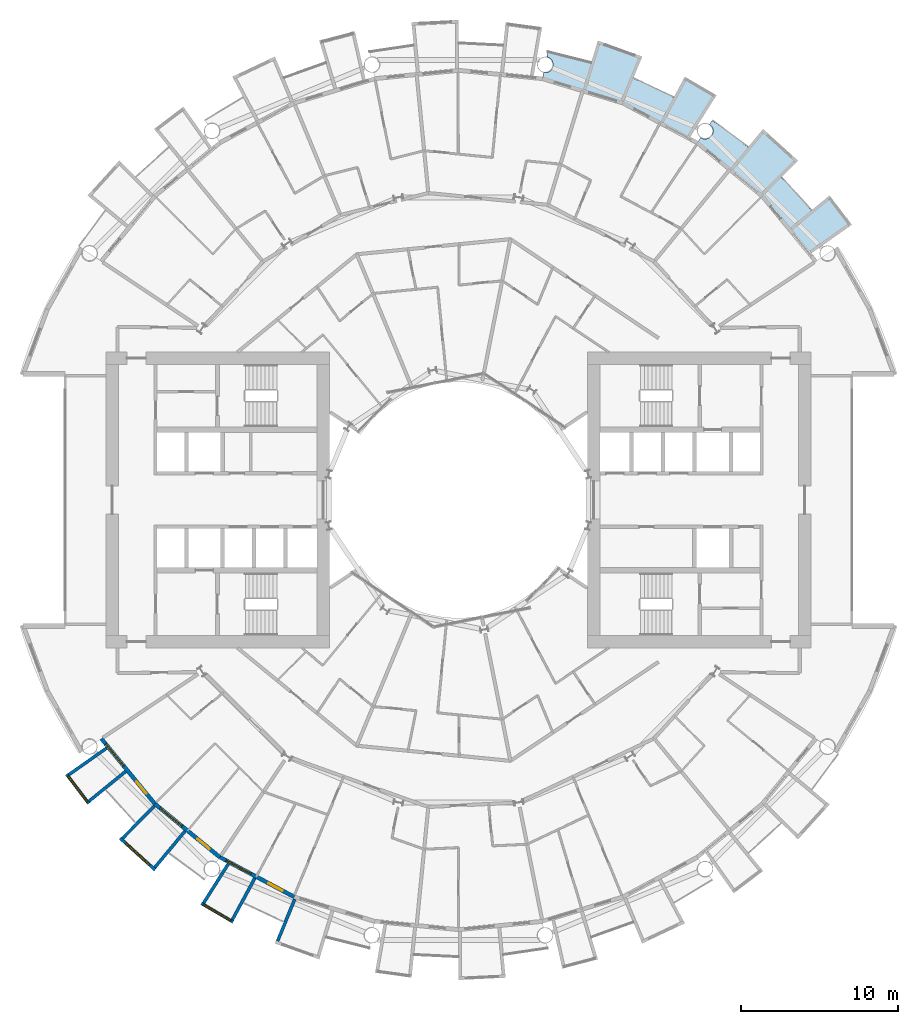
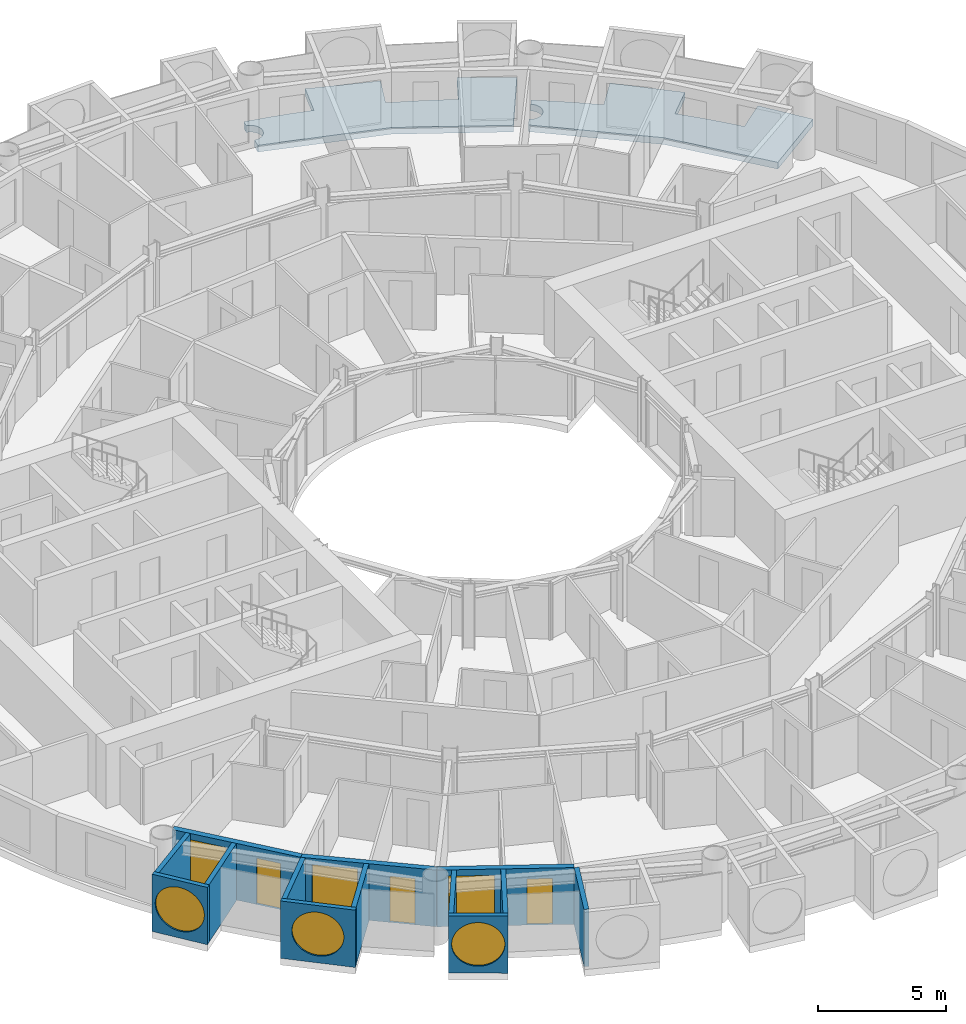
# One storey, part 12 of 26: 13 walls, 6 windows, 3 doors, 2 slabs, 9 openings.
"""IFC4 building model written with IfcOpenShell, lengths in metres."""

import ifcopenshell
import ifcopenshell.guid

model = None  # the IFC model being written
_history = None  # IfcOwnerHistory: only IFC2X3 demands one
_inside = {}  # id of a spatial element -> (the spatial element, [elements in it])
_under = {}  # id of a project, library or spatial element -> (it, [spatial elements below it])
_declared = {}  # id of a project -> (the project, [libraries it declares])
_typed = {}  # id of a type object -> (the type object, [elements of that type])
_made_of = {}  # id of a material, layer set ... -> (it, [elements and type objects made of it])


def new_model(schema):
    """Start an empty IFC model of exactly this schema.

    Asked for "IFC4X3", IfcOpenShell would pick the latest addendum, in which some entities
    have other attributes; the version numbers below select the first issue.
    IFC2X3 requires an IfcOwnerHistory on every rooted entity: one is made here for all.
    """
    global model, _history
    if schema == "IFC4X3":
        model = ifcopenshell.file(schema_version=(4, 3, 0, 0))
    else:
        model = ifcopenshell.file(schema=schema)
    _inside.clear()
    _under.clear()
    _declared.clear()
    _typed.clear()
    _made_of.clear()
    _history = None
    if model.schema == "IFC2X3":
        org = make("IfcOrganization", Name="unknown")
        user = make(
            "IfcPersonAndOrganization",
            ThePerson=make("IfcPerson", FamilyName="unknown"),
            TheOrganization=org,
        )
        app = make(
            "IfcApplication",
            ApplicationDeveloper=org,
            Version="unknown",
            ApplicationFullName="unknown",
            ApplicationIdentifier="unknown",
        )
        _history = make(
            "IfcOwnerHistory",
            OwningUser=user,
            OwningApplication=app,
            ChangeAction="ADDED",
            CreationDate=0,
        )
    return model


def make(cls, **values):
    """One entity of the class cls with the attributes given. An attribute that is None is left unset."""
    return model.create_entity(
        cls, **{name: value for name, value in values.items() if value is not None}
    )


def rooted(cls, **values):
    """An entity with a GlobalId (a new one), such as an element, a storey or a relation."""
    return make(cls, GlobalId=ifcopenshell.guid.new(), OwnerHistory=_history, **values)


def si_unit(unit_type, name, prefix=None):
    """IfcSIUnit, for example si_unit("LENGTHUNIT", "METRE", prefix="MILLI")."""
    return make("IfcSIUnit", UnitType=unit_type, Prefix=prefix, Name=name)


def assignment(units):
    """IfcUnitAssignment: the units of a project."""
    return None if units is None else make("IfcUnitAssignment", Units=units)


def point(xyz):
    """IfcCartesianPoint."""
    return None if xyz is None else make("IfcCartesianPoint", Coordinates=xyz)


def direction(xyz):
    """IfcDirection."""
    return None if xyz is None else make("IfcDirection", DirectionRatios=xyz)


def frame(location, z_axis=None, x_axis=None):
    """IfcAxis2Placement3D, a coordinate frame: its origin and axes. An axis left out is left unset."""
    return make(
        "IfcAxis2Placement3D",
        Location=point(location),
        Axis=direction(z_axis),
        RefDirection=direction(x_axis),
    )


def frame_2d(location, x_axis=None):
    """IfcAxis2Placement2D, a coordinate frame in the plane: its origin and x axis."""
    return make(
        "IfcAxis2Placement2D", Location=point(location), RefDirection=direction(x_axis)
    )


def origin():
    """The frame at (0, 0, 0) with its axes left unset."""
    return frame((0.0, 0.0, 0.0))


def place(relative_to, where):
    """IfcLocalPlacement: puts the frame where relative to a parent placement (None: the world)."""
    return make(
        "IfcLocalPlacement", PlacementRelTo=relative_to, RelativePlacement=where
    )


def context(
    kind, dimensions, precision=None, world=None, true_north=None, identifier=None
):
    """IfcGeometricRepresentationContext, for example the 3D "Model" context."""
    return make(
        "IfcGeometricRepresentationContext",
        ContextIdentifier=identifier,
        ContextType=kind,
        CoordinateSpaceDimension=dimensions,
        Precision=precision,
        WorldCoordinateSystem=world,
        TrueNorth=true_north,
    )


def subcontext(parent, identifier, kind, view, scale=None):
    """IfcGeometricRepresentationSubContext, for example "Body" below "Model"."""
    return make(
        "IfcGeometricRepresentationSubContext",
        ContextIdentifier=identifier,
        ContextType=kind,
        ParentContext=parent,
        TargetScale=scale,
        TargetView=view,
    )


def project(units=None, contexts=None):
    """IfcProject with its units and contexts."""
    return rooted(
        "IfcProject",
        Name="project",
        RepresentationContexts=contexts,
        UnitsInContext=assignment(units),
    )


def spatial(cls, under=None, at=None, **own):
    """A site, building, storey or space (cls), placed at a placement, below another one or the project."""
    s = rooted(cls, ObjectPlacement=at, **own)
    if under is not None:
        _under.setdefault(under.id(), (under, []))[1].append(s)
    return s


def polyline(points):
    """IfcPolyline through the points."""
    return make("IfcPolyline", Points=[point(p) for p in points])


def profile(cls, at=None, kind="AREA", **sizes):
    """A parametric profile (cls). Its sizes go by their IFC names, for example OverallWidth=200.0."""
    return make(cls, ProfileType=kind, Position=at, **sizes)


def rectangle(**sizes):
    """IfcRectangleProfileDef."""
    return profile("IfcRectangleProfileDef", **sizes)


def circle(**sizes):
    """IfcCircleProfileDef."""
    return profile("IfcCircleProfileDef", **sizes)


def outline(outer, holes=None, kind="AREA"):
    """IfcArbitraryClosedProfileDef: a profile drawn as a closed curve; with holes, ...WithVoids."""
    if holes is None:
        return make("IfcArbitraryClosedProfileDef", ProfileType=kind, OuterCurve=outer)
    return make(
        "IfcArbitraryProfileDefWithVoids",
        ProfileType=kind,
        OuterCurve=outer,
        InnerCurves=holes,
    )


def extrude(swept, where, along, depth):
    """IfcExtrudedAreaSolid: the profile swept, set in the frame where, extruded along a direction by depth."""
    return make(
        "IfcExtrudedAreaSolid",
        SweptArea=swept,
        Position=where,
        ExtrudedDirection=direction(along),
        Depth=depth,
    )


def shape(context_of_items, identifier, shape_type, items):
    """IfcShapeRepresentation: the items that make up one representation, for example the "Body"."""
    return make(
        "IfcShapeRepresentation",
        ContextOfItems=context_of_items,
        RepresentationIdentifier=identifier,
        RepresentationType=shape_type,
        Items=items,
    )


def material(Name=None, Category=None):
    """IfcMaterial."""
    return make("IfcMaterial", Name=Name, Category=Category)


def layer(
    of_material, thickness, ventilated=None, Name=None, Category=None, Priority=None
):
    """IfcMaterialLayer: one layer of a wall or slab, of a material (None: an air gap)."""
    return make(
        "IfcMaterialLayer",
        Material=of_material,
        LayerThickness=thickness,
        IsVentilated=ventilated,
        Name=Name,
        Category=Category,
        Priority=Priority,
    )


def layer_set(layers, Name=None):
    """IfcMaterialLayerSet."""
    return make("IfcMaterialLayerSet", MaterialLayers=layers, LayerSetName=Name)


def made_of(thing, what):
    """Note that an element or type object is made of a material, layer set ...; save() writes the relation."""
    if what is not None:
        _made_of.setdefault(what.id(), (what, []))[1].append(thing)
    return thing


def type_object(cls, material=None, **own):
    """A type object (cls), such as IfcWallType, which elements share."""
    return made_of(rooted(cls, **own), material)


def element(
    cls,
    number,
    at=None,
    inside=None,
    cuts=None,
    type_object=None,
    material=None,
    context=None,
    identifier="Body",
    shape_type=None,
    held_by="IfcProductDefinitionShape",
    body=None,
    shapes=None,
    **own,
):
    """One element of the class cls, such as IfcWall. Its Tag is "e" and its number.

    at: its placement. inside: the storey or other place that contains it. cuts: it is an
    opening in that element (IfcRelVoidsElement). A single representation is given by context,
    identifier, shape_type and body (its items); several are given by shapes. held_by: the class
    of the entity that holds the representations. save() writes the other relations.
    """
    e = rooted(cls, Tag="e%d" % number, ObjectPlacement=at, **own)
    if body is not None:
        shapes = [shape(context, identifier, shape_type, body)]
    if shapes is not None:
        e.Representation = make(held_by, Representations=shapes)
    if inside is not None:
        _inside.setdefault(inside.id(), (inside, []))[1].append(e)
    if cuts is not None:
        rooted(
            "IfcRelVoidsElement", RelatingBuildingElement=cuts, RelatedOpeningElement=e
        )
    if type_object is not None:
        _typed.setdefault(type_object.id(), (type_object, []))[1].append(e)
    return made_of(e, material)


def fill(opening, filler):
    """IfcRelFillsElement: the door or window that sits in an opening."""
    return rooted(
        "IfcRelFillsElement",
        RelatingOpeningElement=opening,
        RelatedBuildingElement=filler,
    )


def aggregate(whole, parts):
    """IfcRelAggregates: a whole, such as a stair, and the parts it consists of."""
    return rooted("IfcRelAggregates", RelatingObject=whole, RelatedObjects=parts)


def save(model, path):
    """Write the relations noted so far, then the file.

    IfcRelAggregates (storeys below a building ...), IfcRelContainedInSpatialStructure (elements
    in a storey), IfcRelDefinesByType, IfcRelAssociatesMaterial and IfcRelDeclares: one each for
    every whole, place, type object, material and project.
    """
    for whole, parts in _under.values():
        aggregate(whole, parts)
    for where, things in _inside.values():
        rooted(
            "IfcRelContainedInSpatialStructure",
            RelatedElements=things,
            RelatingStructure=where,
        )
    for kind, things in _typed.values():
        rooted("IfcRelDefinesByType", RelatedObjects=things, RelatingType=kind)
    for what, things in _made_of.values():
        rooted("IfcRelAssociatesMaterial", RelatedObjects=things, RelatingMaterial=what)
    for by, libraries in _declared.values():
        rooted("IfcRelDeclares", RelatingContext=by, RelatedDefinitions=libraries)
    model.write(path)


model = new_model("IFC4")

# Units and contexts
model_context = context("Model", 3, precision=1e-05, world=origin(), true_north=direction((0.0, 1.0)))
body_context = subcontext(model_context, "Body", "Model", "MODEL_VIEW")
ifc_project = project(units=[si_unit("LENGTHUNIT", "METRE"), si_unit("AREAUNIT", "SQUARE_METRE"), si_unit("VOLUMEUNIT", "CUBIC_METRE"), si_unit("PLANEANGLEUNIT", "RADIAN"), si_unit("MASSUNIT", "GRAM", prefix="KILO")], contexts=[model_context])

# Site, building, storey
site_placement = place(None, origin())
site = spatial("IfcSite", under=ifc_project, at=site_placement, CompositionType="ELEMENT")
building_placement = place(site_placement, origin())
building = spatial("IfcBuilding", under=site, at=building_placement, Name="Maasbend Ring Residences", CompositionType="ELEMENT")
storey_placement = place(building_placement, frame((0.0, 0.0, 22.800048828125)))
storey = spatial("IfcBuildingStorey", under=building, at=storey_placement, Name="L05", CompositionType="ELEMENT", Elevation=22.800048828125)

# Slabs
ifc_material_1 = material(Name="Concrete C40/50", Category="concrete")
ifc_layer_1 = layer(ifc_material_1, 0.199951171875)
ifc_layer_set_1 = layer_set([ifc_layer_1], Name="Concrete C40/50")
slab_type = type_object("IfcSlabType", Name="SL-LOGGIA", PredefinedType="FLOOR", material=ifc_layer_set_1)
slab_1_placement = place(storey_placement, frame((0.0, 0.0, -0.35009765625)))
element("IfcSlab", 1, at=slab_1_placement, inside=storey, type_object=slab_type, Name="Loggia floor 2", PredefinedType="FLOOR", context=body_context, shape_type="SweptSolid", body=[
    extrude(outline(polyline([(5.43896484375, 27.154052734375), (5.451904296875, 27.153076171875), (5.464111328125, 27.15087890625), (5.47705078125, 27.15087890625), (5.489013671875, 27.14990234375), (5.501953125, 27.14990234375), (5.513916015625, 27.14990234375), (5.52587890625, 27.15087890625), (5.5390625, 27.15087890625), (5.551025390625, 27.153076171875), (5.56396484375, 27.154052734375), (5.575927734375, 27.156005859375), (5.587890625, 27.157958984375), (5.60107421875, 27.159912109375), (5.613037109375, 27.162109375), (5.625, 27.1650390625), (5.636962890625, 27.1689453125), (5.64892578125, 27.172119140625), (5.660888671875, 27.176025390625), (5.673095703125, 27.179931640625), (5.68408203125, 27.18408203125), (5.696044921875, 27.18896484375), (5.70703125, 27.194091796875), (5.718994140625, 27.198974609375), (5.72998046875, 27.2041015625), (5.740966796875, 27.2099609375), (5.751953125, 27.216064453125), (5.762939453125, 27.221923828125), (5.77294921875, 27.22900390625), (5.783935546875, 27.236083984375), (5.7939453125, 27.242919921875), (5.803955078125, 27.25), (5.81396484375, 27.258056640625), (5.823974609375, 27.264892578125), (5.8330078125, 27.27294921875), (5.843017578125, 27.281982421875), (5.85205078125, 27.2900390625), (5.861083984375, 27.299072265625), (5.868896484375, 27.30810546875), (5.8779296875, 27.31689453125), (5.885986328125, 27.325927734375), (5.89404296875, 27.3359375), (5.902099609375, 27.345947265625), (5.909912109375, 27.35498046875), (5.9169921875, 27.365966796875), (5.924072265625, 27.3759765625), (5.930908203125, 27.385986328125), (5.93701171875, 27.39697265625), (5.944091796875, 27.407958984375), (5.949951171875, 27.4189453125), (5.955078125, 27.429931640625), (5.9609375, 27.44091796875), (5.966064453125, 27.451904296875), (5.970947265625, 27.464111328125), (5.97509765625, 27.47509765625), (5.97998046875, 27.487060546875), (5.98388671875, 27.4990234375), (5.988037109375, 27.510986328125), (5.990966796875, 27.52294921875), (5.993896484375, 27.534912109375), (5.9970703125, 27.547119140625), (6.0, 27.55908203125), (6.001953125, 27.571044921875), (6.00390625, 27.583984375), (6.006103515625, 27.595947265625), (6.007080078125, 27.60791015625), (6.008056640625, 27.62109375), (6.009033203125, 27.633056640625), (6.009033203125, 27.64599609375), (6.010009765625, 27.657958984375), (6.009033203125, 27.6708984375), (6.009033203125, 27.68310546875), (6.008056640625, 27.695068359375), (6.007080078125, 27.7080078125), (6.006103515625, 27.719970703125), (6.00390625, 27.73291015625), (6.001953125, 27.7451171875), (6.0, 27.757080078125), (5.9970703125, 27.76904296875), (5.993896484375, 27.781982421875), (5.990966796875, 27.7939453125), (5.988037109375, 27.805908203125), (5.98388671875, 27.81689453125), (5.97998046875, 27.8291015625), (5.97509765625, 27.841064453125), (5.970947265625, 27.85302734375), (5.966064453125, 27.864013671875), (5.9609375, 27.875), (5.955078125, 27.886962890625), (5.949951171875, 27.89794921875), (5.944091796875, 27.907958984375), (5.93701171875, 27.9189453125), (5.930908203125, 27.929931640625), (5.924072265625, 27.93994140625), (5.9169921875, 27.950927734375), (5.909912109375, 27.9609375), (5.902099609375, 27.970947265625), (5.89404296875, 27.97998046875), (5.885986328125, 27.989990234375), (5.8779296875, 27.9990234375), (5.868896484375, 28.008056640625), (5.861083984375, 28.01708984375), (5.85205078125, 28.02587890625), (5.843017578125, 28.034912109375), (5.8330078125, 28.04296875), (5.823974609375, 28.051025390625), (5.81396484375, 28.05908203125), (5.803955078125, 28.06591796875), (5.7939453125, 28.072998046875), (5.783935546875, 28.080078125), (5.77294921875, 28.0869140625), (5.762939453125, 28.093994140625), (5.751953125, 28.10009765625), (5.740966796875, 28.10595703125), (5.72998046875, 28.112060546875), (5.718994140625, 28.116943359375), (5.70703125, 28.123046875), (5.696044921875, 28.126953125), (5.68408203125, 28.132080078125), (5.673095703125, 28.135986328125), (5.660888671875, 28.139892578125), (5.64892578125, 28.14404296875), (5.636962890625, 28.14794921875), (5.625, 28.15087890625), (5.613037109375, 28.154052734375), (5.60107421875, 28.156005859375), (5.657958984375, 28.443115234375), (5.657958984375, 28.443115234375), (5.657958984375, 28.443115234375), (6.5849609375, 28.241943359375), (6.5849609375, 28.241943359375), (7.506103515625, 28.011962890625), (7.506103515625, 28.011962890625), (8.41796875, 27.7509765625), (8.41796875, 27.7509765625), (8.41796875, 27.7509765625), (8.41796875, 27.7509765625), (8.41796875, 27.7509765625), (8.41796875, 27.7509765625), (8.41796875, 27.7509765625), (8.41796875, 27.7509765625), (8.41796875, 27.7509765625), (8.41796875, 27.7509765625), (8.41796875, 27.751953125), (8.41796875, 27.751953125), (8.41796875, 27.751953125), (8.41796875, 27.751953125), (8.41796875, 27.751953125), (8.41796875, 27.751953125), (8.41796875, 27.751953125), (8.85400390625, 29.18701171875), (8.85400390625, 29.18701171875), (8.85400390625, 29.18701171875), (11.672119140625, 28.177978515625), (11.672119140625, 28.177978515625), (11.672119140625, 28.177978515625), (11.097900390625, 26.79296875), (11.097900390625, 26.79296875), (11.097900390625, 26.79296875), (11.097900390625, 26.79296875), (11.097900390625, 26.79296875), (11.097900390625, 26.79296875), (11.097900390625, 26.79296875), (11.097900390625, 26.79296875), (11.097900390625, 26.79296875), (11.097900390625, 26.79296875), (11.097900390625, 26.7919921875), (11.097900390625, 26.7919921875), (11.097900390625, 26.7919921875), (11.097900390625, 26.7919921875), (11.097900390625, 26.7919921875), (11.097900390625, 26.7919921875), (11.097900390625, 26.7919921875), (11.968994140625, 26.4150390625), (11.968994140625, 26.4150390625), (12.825927734375, 26.009033203125), (12.825927734375, 26.009033203125), (13.669921875, 25.575927734375), (13.669921875, 25.575927734375), (13.669921875, 25.575927734375), (13.669921875, 25.575927734375), (13.669921875, 25.575927734375), (13.669921875, 25.575927734375), (13.669921875, 25.575927734375), (13.669921875, 25.575927734375), (13.669921875, 25.575927734375), (13.669921875, 25.575927734375), (13.6708984375, 25.575927734375), (13.6708984375, 25.575927734375), (13.6708984375, 25.575927734375), (13.6708984375, 25.575927734375), (13.6708984375, 25.575927734375), (13.6708984375, 25.575927734375), (13.6708984375, 25.575927734375), (14.3779296875, 26.89892578125), (14.3779296875, 26.89892578125), (14.3779296875, 26.89892578125), (16.39404296875, 25.718994140625), (16.39404296875, 25.718994140625), (16.39404296875, 25.718994140625), (14.64599609375, 22.97705078125), (14.64599609375, 22.97705078125), (14.64599609375, 22.97705078125), (12.806884765625, 23.9609375), (10.447021484375, 25.221923828125), (10.447021484375, 25.221923828125), (10.447021484375, 25.221923828125), (7.886962890625, 25.9990234375), (5.325927734375, 26.77490234375), (5.325927734375, 26.77490234375), (5.325927734375, 26.77490234375), (5.402099609375, 27.159912109375), (5.4150390625, 27.157958984375), (5.427001953125, 27.156005859375), (5.43896484375, 27.154052734375)])), origin(), (0.0, 0.0, 1.0), 0.320068359375),
])
slab_2_placement = place(storey_placement, frame((0.0, 0.0, -0.35009765625)))
element("IfcSlab", 2, at=slab_2_placement, inside=storey, type_object=slab_type, Name="Loggia floor 4", PredefinedType="FLOOR", context=body_context, shape_type="SweptSolid", body=[
    extrude(outline(polyline([(15.406005859375, 23.011962890625), (15.4169921875, 23.0048828125), (15.427978515625, 22.9990234375), (15.43896484375, 22.993896484375), (15.449951171875, 22.988037109375), (15.4609375, 22.98291015625), (15.472900390625, 22.97802734375), (15.48388671875, 22.972900390625), (15.49609375, 22.968994140625), (15.508056640625, 22.965087890625), (15.52001953125, 22.9609375), (15.531982421875, 22.9580078125), (15.5439453125, 22.955078125), (15.555908203125, 22.951904296875), (15.568115234375, 22.948974609375), (15.580078125, 22.947021484375), (15.593017578125, 22.945068359375), (15.60498046875, 22.943115234375), (15.616943359375, 22.94189453125), (15.6298828125, 22.94091796875), (15.64208984375, 22.93994140625), (15.655029296875, 22.93994140625), (15.6669921875, 22.93896484375), (15.679931640625, 22.93994140625), (15.69189453125, 22.93994140625), (15.7041015625, 22.94091796875), (15.717041015625, 22.94189453125), (15.72900390625, 22.943115234375), (15.741943359375, 22.945068359375), (15.75390625, 22.947021484375), (15.76611328125, 22.948974609375), (15.778076171875, 22.951904296875), (15.791015625, 22.955078125), (15.802978515625, 22.9580078125), (15.81494140625, 22.9609375), (15.825927734375, 22.965087890625), (15.837890625, 22.968994140625), (15.85009765625, 22.972900390625), (15.862060546875, 22.97802734375), (15.873046875, 22.98291015625), (15.884033203125, 22.988037109375), (15.89599609375, 22.993896484375), (15.906982421875, 22.9990234375), (15.9169921875, 23.0048828125), (15.927978515625, 23.011962890625), (15.93896484375, 23.01806640625), (15.948974609375, 23.02490234375), (15.9599609375, 23.031982421875), (15.969970703125, 23.0390625), (15.97998046875, 23.047119140625), (15.989013671875, 23.054931640625), (15.9990234375, 23.06298828125), (16.008056640625, 23.071044921875), (16.01708984375, 23.0791015625), (16.02587890625, 23.087890625), (16.034912109375, 23.096923828125), (16.0439453125, 23.10595703125), (16.052001953125, 23.115966796875), (16.06005859375, 23.125), (16.068115234375, 23.135009765625), (16.074951171875, 23.14501953125), (16.08203125, 23.155029296875), (16.089111328125, 23.1650390625), (16.095947265625, 23.176025390625), (16.10302734375, 23.18603515625), (16.10888671875, 23.197021484375), (16.114990234375, 23.2080078125), (16.12109375, 23.218994140625), (16.1259765625, 23.22998046875), (16.132080078125, 23.241943359375), (16.135986328125, 23.2529296875), (16.14111328125, 23.264892578125), (16.14501953125, 23.27587890625), (16.14892578125, 23.2880859375), (16.153076171875, 23.300048828125), (16.156982421875, 23.31201171875), (16.159912109375, 23.323974609375), (16.1630859375, 23.3359375), (16.1650390625, 23.347900390625), (16.16796875, 23.361083984375), (16.169921875, 23.373046875), (16.1708984375, 23.385009765625), (16.173095703125, 23.39794921875), (16.174072265625, 23.409912109375), (16.174072265625, 23.422119140625), (16.175048828125, 23.43505859375), (16.175048828125, 23.447021484375), (16.175048828125, 23.4599609375), (16.174072265625, 23.471923828125), (16.174072265625, 23.485107421875), (16.173095703125, 23.4970703125), (16.1708984375, 23.510009765625), (16.169921875, 23.52197265625), (16.16796875, 23.533935546875), (16.1650390625, 23.547119140625), (16.1630859375, 23.55908203125), (16.159912109375, 23.571044921875), (16.156982421875, 23.5830078125), (16.153076171875, 23.594970703125), (16.14892578125, 23.60693359375), (16.14501953125, 23.618896484375), (16.14111328125, 23.6298828125), (16.135986328125, 23.64208984375), (16.132080078125, 23.653076171875), (16.1259765625, 23.6650390625), (16.12109375, 23.676025390625), (16.114990234375, 23.68701171875), (16.10888671875, 23.697998046875), (16.10302734375, 23.708984375), (16.095947265625, 23.718994140625), (16.089111328125, 23.72998046875), (16.08203125, 23.739990234375), (16.074951171875, 23.75), (16.068115234375, 23.760009765625), (16.06005859375, 23.77001953125), (16.052001953125, 23.779052734375), (16.0439453125, 23.7890625), (16.034912109375, 23.798095703125), (16.02587890625, 23.806884765625), (16.01708984375, 23.81494140625), (16.008056640625, 23.823974609375), (15.9990234375, 23.83203125), (15.989013671875, 23.840087890625), (15.97998046875, 23.847900390625), (15.969970703125, 23.85498046875), (15.9599609375, 23.863037109375), (15.948974609375, 23.8701171875), (15.948974609375, 23.8701171875), (16.112060546875, 24.113037109375), (16.112060546875, 24.113037109375), (16.112060546875, 24.113037109375), (16.89208984375, 23.572998046875), (16.89208984375, 23.572998046875), (17.654052734375, 23.007080078125), (17.654052734375, 23.007080078125), (18.39697265625, 22.41796875), (18.39697265625, 22.41796875), (18.39697265625, 22.41796875), (18.39697265625, 22.41796875), (18.39697265625, 22.41796875), (18.39697265625, 22.41796875), (18.39697265625, 22.41796875), (18.39697265625, 22.41796875), (18.39697265625, 22.41796875), (18.39697265625, 22.41796875), (18.39697265625, 22.41796875), (18.39794921875, 22.41796875), (18.39794921875, 22.41796875), (18.39794921875, 22.41796875), (18.39794921875, 22.41796875), (18.39794921875, 22.41796875), (18.39794921875, 22.41796875), (19.34912109375, 23.576904296875), (19.34912109375, 23.576904296875), (19.34912109375, 23.576904296875), (21.56689453125, 21.56689453125), (21.56689453125, 21.56689453125), (21.56689453125, 21.56689453125), (20.506103515625, 20.506103515625), (20.506103515625, 20.506103515625), (20.506103515625, 20.506103515625), (20.506103515625, 20.506103515625), (20.506103515625, 20.506103515625), (20.506103515625, 20.506103515625), (20.506103515625, 20.506103515625), (20.506103515625, 20.506103515625), (20.506103515625, 20.506103515625), (20.506103515625, 20.506103515625), (20.506103515625, 20.506103515625), (20.506103515625, 20.506103515625), (20.506103515625, 20.506103515625), (20.506103515625, 20.506103515625), (20.506103515625, 20.506103515625), (20.506103515625, 20.506103515625), (20.506103515625, 20.506103515625), (21.166015625, 19.823974609375), (21.166015625, 19.823974609375), (21.802978515625, 19.12109375), (21.802978515625, 19.12109375), (22.4169921875, 18.39794921875), (22.4169921875, 18.39794921875), (22.4169921875, 18.39794921875), (22.4169921875, 18.39794921875), (22.4169921875, 18.39794921875), (22.4169921875, 18.39794921875), (22.4169921875, 18.39794921875), (22.4169921875, 18.39794921875), (22.4169921875, 18.39794921875), (22.4169921875, 18.39794921875), (22.4169921875, 18.39794921875), (22.4169921875, 18.39794921875), (22.41796875, 18.39794921875), (22.41796875, 18.39794921875), (22.41796875, 18.39794921875), (22.41796875, 18.39794921875), (22.41796875, 18.39794921875), (23.576904296875, 19.34912109375), (23.576904296875, 19.34912109375), (23.576904296875, 19.34912109375), (24.989013671875, 17.488037109375), (24.989013671875, 17.488037109375), (24.989013671875, 17.488037109375), (22.324951171875, 15.623046875), (22.324951171875, 15.623046875), (22.324951171875, 15.623046875), (21.001953125, 17.236083984375), (19.303955078125, 19.303955078125), (19.303955078125, 19.303955078125), (19.303955078125, 19.303955078125), (17.236083984375, 21.001953125), (15.1669921875, 22.698974609375), (15.1669921875, 22.698974609375), (15.1669921875, 22.698974609375), (15.385009765625, 23.02490234375), (15.385009765625, 23.02490234375), (15.39501953125, 23.01806640625), (15.406005859375, 23.011962890625)])), origin(), (0.0, 0.0, 1.0), 0.320068359375),
])

# Wall, opening, window
ifc_material_2 = material(Name="Pale anodised aluminium panel", Category="aluminium")
ifc_layer_2 = layer(ifc_material_2, 0.199951171875)
ifc_layer_set_2 = layer_set([ifc_layer_2], Name="EW-BOX")
wall_type_1 = type_object("IfcWallType", Name="EW-BOX", PredefinedType="SOLIDWALL", material=ifc_layer_set_2)
wall_1_placement = place(storey_placement, frame((-24.908935546875, -17.427001953125, -0.030029296875), z_axis=(0.0, 0.0, 1.0), x_axis=(0.60418752353, -0.796842165306, 0.0)))
wall_1 = element("IfcWall", 3, at=wall_1_placement, inside=storey, type_object=wall_type_1, Name="Box front S01", PredefinedType="SOLIDWALL", context=body_context, shape_type="SweptSolid", body=[
    extrude(rectangle(XDim=2.3369140625, YDim=0.199951171875, at=frame_2d((1.16845703125, 0.0))), origin(), (0.0, 0.0, 1.0), 2.72998046875),
])
opening_1_placement = place(wall_1_placement, frame((0.128173828125, 0.0, 0.330078125)))
opening_1 = element("IfcOpeningElement", 4, at=opening_1_placement, cuts=wall_1, Name="Opening W-RD", PredefinedType="OPENING", context=body_context, shape_type="SweptSolid", body=[
    extrude(circle(Radius=1.0400390625, at=frame_2d((1.0400390625, 1.0400390625))), frame((0.0, 0.10986328125, 0.0), z_axis=(0.0, -1.0, 0.0), x_axis=(1.0, 0.0, 0.0)), (0.0, 0.0, 1.0), 0.219970703125),
])
ifc_material_3 = material(Name="Aluminium and clear glass", Category="aluminium")
window_type_1 = type_object("IfcWindowType", Name="W-RD", PartitioningType="SINGLE_PANEL", PredefinedType="WINDOW", material=ifc_material_3)
window_1_placement = place(opening_1_placement, origin())
window_1 = element("IfcWindow", 5, at=window_1_placement, inside=storey, type_object=window_type_1, Name="Round window S01", OverallHeight=2.080078125, OverallWidth=2.080078125, PartitioningType="SINGLE_PANEL", PredefinedType="WINDOW", context=body_context, shape_type="SweptSolid", body=[
    extrude(circle(Radius=1.0400390625, at=frame_2d((1.0400390625, 1.0400390625))), frame((0.0, 0.030029296875, 0.0), z_axis=(0.0, -1.0, 0.0), x_axis=(1.0, 0.0, 0.0)), (0.0, 0.0, 1.0), 0.06005859375),
])
fill(opening_1, window_1)

# Walls
wall_2_placement = place(storey_placement, frame((-22.3701171875, -15.764892578125, -0.030029296875), z_axis=(0.0, 0.0, 1.0), x_axis=(-0.817256123454, -0.576274612209, 0.0)))
element("IfcWall", 6, at=wall_2_placement, inside=storey, type_object=wall_type_1, Name="Box side wall S01 left", PredefinedType="SOLIDWALL", context=body_context, shape_type="SweptSolid", body=[
    extrude(rectangle(XDim=2.932861328125, YDim=0.199951171875, at=frame_2d((1.46630859375, 0.0))), origin(), (0.0, 0.0, 1.0), 2.72998046875),
])
wall_3_placement = place(storey_placement, frame((-21.155029296875, -17.24609375, -0.030029296875), z_axis=(0.0, 0.0, 1.0), x_axis=(-0.775179004516, -0.631741648902, 0.0)))
element("IfcWall", 7, at=wall_3_placement, inside=storey, type_object=wall_type_1, Name="Box side wall S01 right", PredefinedType="SOLIDWALL", context=body_context, shape_type="SweptSolid", body=[
    extrude(rectangle(XDim=3.005859375, YDim=0.199951171875, at=frame_2d((1.5029296875, 0.0))), origin(), (0.0, 0.0, 1.0), 2.72998046875),
])

# Wall, opening, window
wall_4_placement = place(storey_placement, frame((-21.5, -21.492919921875, -0.030029296875), z_axis=(0.0, 0.0, 1.0), x_axis=(0.740998365753, -0.671506829416, 0.0)))
wall_4 = element("IfcWall", 8, at=wall_4_placement, inside=storey, type_object=wall_type_1, Name="Box front S03", PredefinedType="SOLIDWALL", context=body_context, shape_type="SweptSolid", body=[
    extrude(rectangle(XDim=2.9931640625, YDim=0.199951171875, at=frame_2d((1.49658203125, 0.0))), origin(), (0.0, 0.0, 1.0), 2.72998046875),
])
opening_2_placement = place(wall_4_placement, frame((0.45654296875, 0.0, 0.330078125)))
opening_2 = element("IfcOpeningElement", 9, at=opening_2_placement, cuts=wall_4, Name="Opening W-RD", PredefinedType="OPENING", context=body_context, shape_type="SweptSolid", body=[
    extrude(circle(Radius=1.0400390625, at=frame_2d((1.0400390625, 1.0400390625))), frame((0.0, 0.10986328125, 0.0), z_axis=(0.0, -1.0, 0.0), x_axis=(1.0, 0.0, 0.0)), (0.0, 0.0, 1.0), 0.219970703125),
])
window_2_placement = place(opening_2_placement, origin())
window_2 = element("IfcWindow", 10, at=window_2_placement, inside=storey, type_object=window_type_1, Name="Round window S03", OverallHeight=2.080078125, OverallWidth=2.080078125, PartitioningType="SINGLE_PANEL", PredefinedType="WINDOW", context=body_context, shape_type="SweptSolid", body=[
    extrude(circle(Radius=1.0400390625, at=frame_2d((1.0400390625, 1.0400390625))), frame((0.0, 0.030029296875, 0.0), z_axis=(0.0, -1.0, 0.0), x_axis=(1.0, 0.0, 0.0)), (0.0, 0.0, 1.0), 0.06005859375),
])
fill(opening_2, window_2)

# Walls
wall_5_placement = place(storey_placement, frame((-19.322998046875, -19.449951171875, -0.030029296875), z_axis=(0.0, 0.0, 1.0), x_axis=(-0.704476739375, -0.709727076896, 0.0)))
element("IfcWall", 11, at=wall_5_placement, inside=storey, type_object=wall_type_1, Name="Box side wall S03 left", PredefinedType="SOLIDWALL", context=body_context, shape_type="SweptSolid", body=[
    extrude(rectangle(XDim=2.883056640625, YDim=0.199951171875, at=frame_2d((1.44140625, 0.0))), origin(), (0.0, 0.0, 1.0), 2.72998046875),
])
wall_6_placement = place(storey_placement, frame((-17.384033203125, -21.041015625, -0.030029296875), z_axis=(0.0, 0.0, 1.0), x_axis=(-0.63709551667, -0.770784861449, 0.0)))
element("IfcWall", 12, at=wall_6_placement, inside=storey, type_object=wall_type_1, Name="Box side wall S03 right", PredefinedType="SOLIDWALL", context=body_context, shape_type="SweptSolid", body=[
    extrude(rectangle(XDim=3.005859375, YDim=0.199951171875, at=frame_2d((1.5029296875, 0.0))), origin(), (0.0, 0.0, 1.0), 2.72998046875),
])

# Wall, opening, window
wall_7_placement = place(storey_placement, frame((-16.343994140625, -25.633056640625, -0.030029296875), z_axis=(0.0, 0.0, 1.0), x_axis=(0.863346521872, -0.504611517081, 0.0)))
wall_7 = element("IfcWall", 13, at=wall_7_placement, inside=storey, type_object=wall_type_1, Name="Box front S05", PredefinedType="SOLIDWALL", context=body_context, shape_type="SweptSolid", body=[
    extrude(rectangle(XDim=2.33642578125, YDim=0.199951171875, at=frame_2d((1.168212890625, 0.0))), origin(), (0.0, 0.0, 1.0), 2.72998046875),
])
opening_3_placement = place(wall_7_placement, frame((0.128173828125, 0.0, 0.330078125)))
opening_3 = element("IfcOpeningElement", 14, at=opening_3_placement, cuts=wall_7, Name="Opening W-RD", PredefinedType="OPENING", context=body_context, shape_type="SweptSolid", body=[
    extrude(circle(Radius=1.0400390625, at=frame_2d((1.0400390625, 1.0400390625))), frame((0.0, 0.10986328125, 0.0), z_axis=(0.0, -1.0, 0.0), x_axis=(1.0, 0.0, 0.0)), (0.0, 0.0, 1.0), 0.219970703125),
])
window_3_placement = place(opening_3_placement, origin())
window_3 = element("IfcWindow", 15, at=window_3_placement, inside=storey, type_object=window_type_1, Name="Round window S05", OverallHeight=2.080078125, OverallWidth=2.080078125, PartitioningType="SINGLE_PANEL", PredefinedType="WINDOW", context=body_context, shape_type="SweptSolid", body=[
    extrude(circle(Radius=1.0400390625, at=frame_2d((1.0400390625, 1.0400390625))), frame((0.0, 0.030029296875, 0.0), z_axis=(0.0, -1.0, 0.0), x_axis=(1.0, 0.0, 0.0)), (0.0, 0.0, 1.0), 0.06005859375),
])
fill(opening_3, window_3)

# Walls
wall_8_placement = place(storey_placement, frame((-14.635009765625, -23.1259765625, -0.030029296875), z_axis=(0.0, 0.0, 1.0), x_axis=(-0.534437802731, -0.845207805816, 0.0)))
element("IfcWall", 16, at=wall_8_placement, inside=storey, type_object=wall_type_1, Name="Box side wall S05 left", PredefinedType="SOLIDWALL", context=body_context, shape_type="SweptSolid", body=[
    extrude(rectangle(XDim=2.931884765625, YDim=0.199951171875, at=frame_2d((1.4658203125, 0.0))), origin(), (0.0, 0.0, 1.0), 2.72998046875),
])
wall_9_placement = place(storey_placement, frame((-12.945068359375, -24.029052734375, -0.030029296875), z_axis=(0.0, 0.0, 1.0), x_axis=(-0.474424310775, -0.88029629861, 0.0)))
element("IfcWall", 17, at=wall_9_placement, inside=storey, type_object=wall_type_1, Name="Box side wall S05 right", PredefinedType="SOLIDWALL", context=body_context, shape_type="SweptSolid", body=[
    extrude(rectangle(XDim=3.005859375, YDim=0.199951171875, at=frame_2d((1.5029296875, 0.0))), origin(), (0.0, 0.0, 1.0), 2.72998046875),
])
wall_10_placement = place(storey_placement, frame((-10.408935546875, -25.364013671875, -0.030029296875), z_axis=(0.0, 0.0, 1.0), x_axis=(-0.379509886562, -0.925187681501, 0.0)))
element("IfcWall", 18, at=wall_10_placement, inside=storey, type_object=wall_type_1, Name="Box side wall S07 left", PredefinedType="SOLIDWALL", context=body_context, shape_type="SweptSolid", body=[
    extrude(rectangle(XDim=2.882568359375, YDim=0.199951171875, at=frame_2d((1.44140625, 0.0))), origin(), (0.0, 0.0, 1.0), 2.72998046875),
])

# Wall, openings, door, window
ifc_material_4 = material(Name="Aluminium clad insulated panel", Category="aluminium")
ifc_layer_3 = layer(ifc_material_4, 0.25)
ifc_layer_set_3 = layer_set([ifc_layer_3], Name="EW-GL")
wall_type_2 = type_object("IfcWallType", Name="EW-GL", PredefinedType="SOLIDWALL", material=ifc_layer_set_3)
wall_11_placement = place(storey_placement, frame((-22.698974609375, -15.1669921875, 0.0), z_axis=(0.0, 0.0, 1.0), x_axis=(0.634382322723, -0.773019449054, 0.0)))
wall_11 = element("IfcWall", 19, at=wall_11_placement, inside=storey, type_object=wall_type_2, Name="External wall S01", PredefinedType="SOLIDWALL", context=body_context, shape_type="SweptSolid", body=[
    extrude(rectangle(XDim=5.351806640625, YDim=0.25, at=frame_2d((2.67578125, 0.0))), origin(), (0.0, 0.0, 1.0), 2.699951171875),
])
opening_4_placement = place(wall_11_placement, frame((0.441162109375, 0.0, 0.300048828125)))
opening_4 = element("IfcOpeningElement", 20, at=opening_4_placement, cuts=wall_11, Name="Opening W-BX", PredefinedType="OPENING", context=body_context, shape_type="SweptSolid", body=[
    extrude(rectangle(XDim=1.800048828125, YDim=2.10009765625, at=frame_2d((0.89990234375, 1.050048828125))), frame((0.0, 0.135009765625, 0.0), z_axis=(0.0, -1.0, 0.0), x_axis=(1.0, 0.0, 0.0)), (0.0, 0.0, 1.0), 0.27001953125),
])
opening_5_placement = place(wall_11_placement, frame((3.510498046875, 0.0, 0.0)))
opening_5 = element("IfcOpeningElement", 21, at=opening_5_placement, cuts=wall_11, Name="Opening D-LG", PredefinedType="OPENING", context=body_context, shape_type="SweptSolid", body=[
    extrude(rectangle(XDim=1.0, YDim=2.199951171875, at=frame_2d((0.5, 1.10009765625))), frame((0.0, 0.135009765625, 0.0), z_axis=(0.0, -1.0, 0.0), x_axis=(1.0, 0.0, 0.0)), (0.0, 0.0, 1.0), 0.27001953125),
])
ifc_material_5 = material(Name="Aluminium and clear glass", Category="aluminium")
door_type = type_object("IfcDoorType", Name="D-LG", OperationType="SINGLE_SWING_LEFT", PredefinedType="DOOR", material=ifc_material_5)
door_1_placement = place(opening_5_placement, origin())
door_1 = element("IfcDoor", 22, at=door_1_placement, inside=storey, type_object=door_type, Name="Loggia door S02", OperationType="SINGLE_SWING_LEFT", OverallHeight=2.199951171875, OverallWidth=1.0, PredefinedType="DOOR", context=body_context, shape_type="SweptSolid", body=[
    extrude(rectangle(XDim=1.0, YDim=2.199951171875, at=frame_2d((0.5, 1.10009765625))), frame((0.0, 0.02490234375, 0.0), z_axis=(0.0, -1.0, 0.0), x_axis=(1.0, 0.0, 0.0)), (0.0, 0.0, 1.0), 0.050048828125),
])
fill(opening_5, door_1)
ifc_material_6 = material(Name="Aluminium and clear glass", Category="aluminium")
window_type_2 = type_object("IfcWindowType", Name="W-BX", PartitioningType="DOUBLE_PANEL_VERTICAL", PredefinedType="WINDOW", material=ifc_material_6)
window_4_placement = place(opening_4_placement, origin())
window_4 = element("IfcWindow", 23, at=window_4_placement, inside=storey, type_object=window_type_2, Name="Window S01 room to box", OverallHeight=2.10009765625, OverallWidth=1.800048828125, PartitioningType="SINGLE_PANEL", PredefinedType="WINDOW", context=body_context, shape_type="SweptSolid", body=[
    extrude(rectangle(XDim=1.800048828125, YDim=2.10009765625, at=frame_2d((0.89990234375, 1.050048828125))), frame((0.0, 0.030029296875, 0.0), z_axis=(0.0, -1.0, 0.0), x_axis=(1.0, 0.0, 0.0)), (0.0, 0.0, 1.0), 0.06005859375),
])
fill(opening_4, window_4)

wall_12_placement = place(storey_placement, frame((-19.303955078125, -19.303955078125, 0.0), z_axis=(0.0, 0.0, 1.0), x_axis=(0.773019449054, -0.634382322723, 0.0)))
wall_12 = element("IfcWall", 24, at=wall_12_placement, inside=storey, type_object=wall_type_2, Name="External wall S02", PredefinedType="SOLIDWALL", context=body_context, shape_type="SweptSolid", body=[
    extrude(rectangle(XDim=5.351806640625, YDim=0.25, at=frame_2d((2.67578125, 0.0))), origin(), (0.0, 0.0, 1.0), 2.699951171875),
])
opening_6_placement = place(wall_12_placement, frame((0.441162109375, 0.0, 0.300048828125)))
opening_6 = element("IfcOpeningElement", 25, at=opening_6_placement, cuts=wall_12, Name="Opening W-BX", PredefinedType="OPENING", context=body_context, shape_type="SweptSolid", body=[
    extrude(rectangle(XDim=1.800048828125, YDim=2.10009765625, at=frame_2d((0.89990234375, 1.050048828125))), frame((0.0, 0.135009765625, 0.0), z_axis=(0.0, -1.0, 0.0), x_axis=(1.0, 0.0, 0.0)), (0.0, 0.0, 1.0), 0.27001953125),
])
opening_7_placement = place(wall_12_placement, frame((3.510498046875, 0.0, 0.0)))
opening_7 = element("IfcOpeningElement", 26, at=opening_7_placement, cuts=wall_12, Name="Opening D-LG", PredefinedType="OPENING", context=body_context, shape_type="SweptSolid", body=[
    extrude(rectangle(XDim=1.0, YDim=2.199951171875, at=frame_2d((0.5, 1.10009765625))), frame((0.0, 0.135009765625, 0.0), z_axis=(0.0, -1.0, 0.0), x_axis=(1.0, 0.0, 0.0)), (0.0, 0.0, 1.0), 0.27001953125),
])
door_2_placement = place(opening_7_placement, origin())
door_2 = element("IfcDoor", 27, at=door_2_placement, inside=storey, type_object=door_type, Name="Loggia door S04", OperationType="SINGLE_SWING_LEFT", OverallHeight=2.199951171875, OverallWidth=1.0, PredefinedType="DOOR", context=body_context, shape_type="SweptSolid", body=[
    extrude(rectangle(XDim=1.0, YDim=2.199951171875, at=frame_2d((0.5, 1.10009765625))), frame((0.0, 0.02490234375, 0.0), z_axis=(0.0, -1.0, 0.0), x_axis=(1.0, 0.0, 0.0)), (0.0, 0.0, 1.0), 0.050048828125),
])
fill(opening_7, door_2)
window_5_placement = place(opening_6_placement, origin())
window_5 = element("IfcWindow", 28, at=window_5_placement, inside=storey, type_object=window_type_2, Name="Window S03 room to box", OverallHeight=2.10009765625, OverallWidth=1.800048828125, PartitioningType="SINGLE_PANEL", PredefinedType="WINDOW", context=body_context, shape_type="SweptSolid", body=[
    extrude(rectangle(XDim=1.800048828125, YDim=2.10009765625, at=frame_2d((0.89990234375, 1.050048828125))), frame((0.0, 0.030029296875, 0.0), z_axis=(0.0, -1.0, 0.0), x_axis=(1.0, 0.0, 0.0)), (0.0, 0.0, 1.0), 0.06005859375),
])
fill(opening_6, window_5)

wall_13_placement = place(storey_placement, frame((-15.1669921875, -22.698974609375, 0.0), z_axis=(0.0, 0.0, 1.0), x_axis=(0.881915646801, -0.471407246368, 0.0)))
wall_13 = element("IfcWall", 29, at=wall_13_placement, inside=storey, type_object=wall_type_2, Name="External wall S03", PredefinedType="SOLIDWALL", context=body_context, shape_type="SweptSolid", body=[
    extrude(rectangle(XDim=5.35205078125, YDim=0.25, at=frame_2d((2.676025390625, 0.0))), origin(), (0.0, 0.0, 1.0), 2.699951171875),
])
opening_8_placement = place(wall_13_placement, frame((0.441162109375, 0.0, 0.300048828125)))
opening_8 = element("IfcOpeningElement", 30, at=opening_8_placement, cuts=wall_13, Name="Opening W-BX", PredefinedType="OPENING", context=body_context, shape_type="SweptSolid", body=[
    extrude(rectangle(XDim=1.800048828125, YDim=2.10009765625, at=frame_2d((0.89990234375, 1.050048828125))), frame((0.0, 0.135009765625, 0.0), z_axis=(0.0, -1.0, 0.0), x_axis=(1.0, 0.0, 0.0)), (0.0, 0.0, 1.0), 0.27001953125),
])
opening_9_placement = place(wall_13_placement, frame((3.510498046875, 0.0, 0.0)))
opening_9 = element("IfcOpeningElement", 31, at=opening_9_placement, cuts=wall_13, Name="Opening D-LG", PredefinedType="OPENING", context=body_context, shape_type="SweptSolid", body=[
    extrude(rectangle(XDim=1.0, YDim=2.199951171875, at=frame_2d((0.5, 1.10009765625))), frame((0.0, 0.135009765625, 0.0), z_axis=(0.0, -1.0, 0.0), x_axis=(1.0, 0.0, 0.0)), (0.0, 0.0, 1.0), 0.27001953125),
])
door_3_placement = place(opening_9_placement, origin())
door_3 = element("IfcDoor", 32, at=door_3_placement, inside=storey, type_object=door_type, Name="Loggia door S06", OperationType="SINGLE_SWING_LEFT", OverallHeight=2.199951171875, OverallWidth=1.0, PredefinedType="DOOR", context=body_context, shape_type="SweptSolid", body=[
    extrude(rectangle(XDim=1.0, YDim=2.199951171875, at=frame_2d((0.5, 1.10009765625))), frame((0.0, 0.02490234375, 0.0), z_axis=(0.0, -1.0, 0.0), x_axis=(1.0, 0.0, 0.0)), (0.0, 0.0, 1.0), 0.050048828125),
])
fill(opening_9, door_3)
window_6_placement = place(opening_8_placement, origin())
window_6 = element("IfcWindow", 33, at=window_6_placement, inside=storey, type_object=window_type_2, Name="Window S05 room to box", OverallHeight=2.10009765625, OverallWidth=1.800048828125, PartitioningType="SINGLE_PANEL", PredefinedType="WINDOW", context=body_context, shape_type="SweptSolid", body=[
    extrude(rectangle(XDim=1.800048828125, YDim=2.10009765625, at=frame_2d((0.89990234375, 1.050048828125))), frame((0.0, 0.030029296875, 0.0), z_axis=(0.0, -1.0, 0.0), x_axis=(1.0, 0.0, 0.0)), (0.0, 0.0, 1.0), 0.06005859375),
])
fill(opening_8, window_6)

save(model, "model.ifc")
